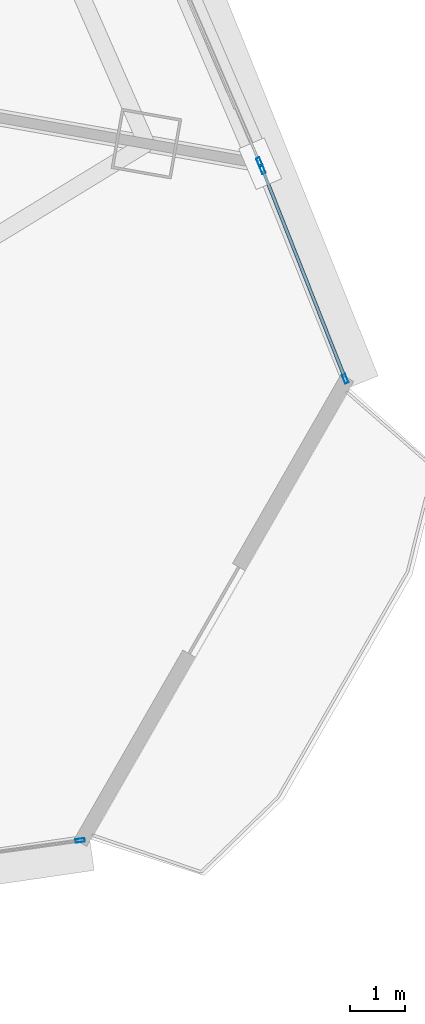
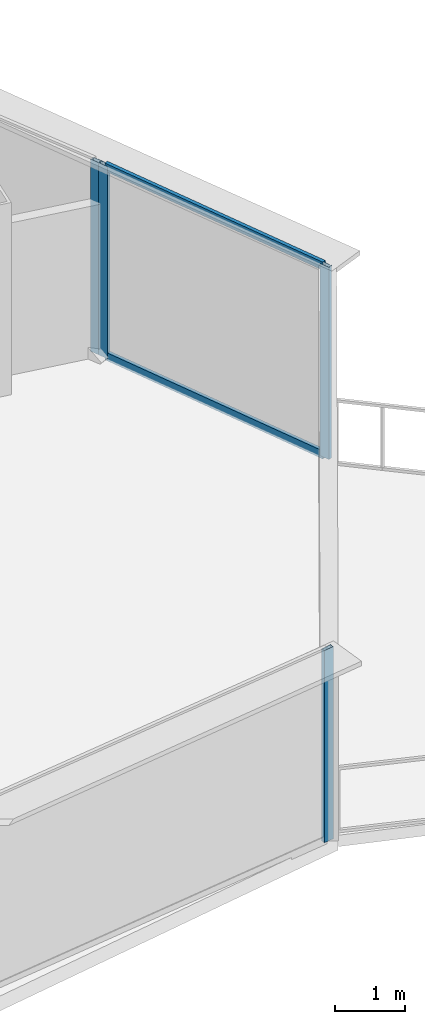
# One storey, part 21 of 38: 6 members, 3 elements without a shape of their own.
"""IFC4 building model written with IfcOpenShell, lengths in metres."""

from ifc_helpers import new_model, si_unit, direction, frame, origin, origin_2d, place, context, subcontext, project, spatial, hollow_rectangle, extrude, source, transform, mapped, material, layer, layer_set, material_profile, profile_set, type_object, element, aggregate, save


model = new_model("IFC4")

# Units and contexts
model_context = context("Model", 3, precision=1e-05, world=origin(), true_north=direction((0.0, 1.0)))
body_context = subcontext(model_context, "Body", "Model", "MODEL_VIEW")
ifc_project = project(units=[si_unit("LENGTHUNIT", "METRE"), si_unit("AREAUNIT", "SQUARE_METRE"), si_unit("VOLUMEUNIT", "CUBIC_METRE"), si_unit("PLANEANGLEUNIT", "RADIAN"), si_unit("MASSUNIT", "GRAM", prefix="KILO"), si_unit("THERMODYNAMICTEMPERATUREUNIT", "KELVIN"), si_unit("POWERUNIT", "WATT")], contexts=[model_context])

# Site, building, storey
site_placement = place(None, origin())
site = spatial("IfcSite", under=ifc_project, at=site_placement, CompositionType="ELEMENT")
building_placement = place(site_placement, origin())
building = spatial("IfcBuilding", under=site, at=building_placement, Name="Yunzhuo Pagoda Commons", CompositionType="ELEMENT")
storey_placement = place(building_placement, frame((0.0, 0.0, 34.030029296875)))
storey = spatial("IfcBuildingStorey", under=building, at=storey_placement, Name="L08", CompositionType="ELEMENT", Elevation=34.030029296875)

# Curtain wall, members
ifc_material = material(Name="Anodized aluminium 6063-T6", Category="aluminium")
ifc_layer = layer(ifc_material, 0.1650390625)
ifc_layer_set = layer_set([ifc_layer], Name="Anodized aluminium 6063-T6")
curtain_wall_type = type_object("IfcCurtainWallType", Name="CW-LOW Low-Zone Ribbon Curtain Wall", PredefinedType="NOTDEFINED", material=ifc_layer_set)
curtain_wall_1_placement = place(storey_placement, origin())
curtain_wall_1 = element("IfcCurtainWall", 1, at=curtain_wall_1_placement, inside=storey, type_object=curtain_wall_type, Name="L08 curtain wall CW-L08-F2B1", PredefinedType="NOTDEFINED")
ifc_material_profile_1 = material_profile(ifc_material, hollow_rectangle(XDim=0.06005859375, YDim=0.139892578125, WallThickness=0.00341796875, at=origin_2d()), Name="Anodized aluminium 6063-T6")
ifc_profile_set_1 = profile_set([ifc_material_profile_1], Name="Anodized aluminium 6063-T6")
member_type_1 = type_object("IfcMemberType", Name="CW-LOW-T Transom RHS 140x60x3.5", PredefinedType="USERDEFINED", material=ifc_profile_set_1)
shared_shape_1 = source(origin(), body_context, "Body", "SweptSolid", [
    extrude(hollow_rectangle(XDim=0.06005859375, YDim=0.139892578125, WallThickness=0.00341796875, at=origin_2d()), origin(), (0.0, 0.0, 1.0), 3.9970703125),
])
member_1_placement = place(storey_placement, frame((91.619384765625, 22.429931640625, 0.030029296875), z_axis=(-0.36764906147, 0.929964605563, 0.0), x_axis=(-0.929964605563, -0.36764906147, 0.0)))
member_1 = element("IfcMember", 2, at=member_1_placement, type_object=member_type_1, Name="CW transom 1.1", ObjectType="TRANSOM", PredefinedType="USERDEFINED", context=body_context, shape_type="MappedRepresentation", body=[
    mapped(shared_shape_1, transform((0.0, 0.0, 0.0), scale=1.0)),
])
member_2_placement = place(storey_placement, frame((91.619384765625, 22.429931640625, 3.340087890625), z_axis=(-0.36764906147, 0.929964605563, 0.0), x_axis=(-0.929964605563, -0.36764906147, 0.0)))
member_2 = element("IfcMember", 3, at=member_2_placement, type_object=member_type_1, Name="CW transom 1.2", ObjectType="TRANSOM", PredefinedType="USERDEFINED", context=body_context, shape_type="MappedRepresentation", body=[
    mapped(shared_shape_1, transform((0.0, 0.0, 0.0), scale=1.0)),
])

# Curtain wall, member
curtain_wall_2_placement = place(storey_placement, origin())
curtain_wall_2 = element("IfcCurtainWall", 4, at=curtain_wall_2_placement, inside=storey, type_object=curtain_wall_type, Name="L08 curtain wall CW-L08-F1B5", PredefinedType="NOTDEFINED")
ifc_material_profile_2 = material_profile(ifc_material, hollow_rectangle(XDim=0.06494140625, YDim=0.1650390625, WallThickness=0.00390625, at=origin_2d()), Name="Anodized aluminium 6063-T6")
ifc_profile_set_2 = profile_set([ifc_material_profile_2], Name="Anodized aluminium 6063-T6")
member_type_2 = type_object("IfcMemberType", Name="CW-LOW-M Mullion RHS 165x65x4", PredefinedType="MULLION", material=ifc_profile_set_2)
shared_shape_2 = source(origin(), body_context, "Body", "SweptSolid", [
    extrude(hollow_rectangle(XDim=0.06494140625, YDim=0.1650390625, WallThickness=0.00390625, at=origin_2d()), origin(), (0.0, 0.0, 1.0), 3.369873046875),
])
member_3_placement = place(storey_placement, frame((86.85302734375, 14.077880859375, 0.0), z_axis=(0.0, 0.0, 1.0), x_axis=(-0.138293641491, 0.99039127052, 0.0)))
member_3 = element("IfcMember", 5, at=member_3_placement, type_object=member_type_2, Name="CW mullion 2", PredefinedType="MULLION", context=body_context, shape_type="MappedRepresentation", body=[
    mapped(shared_shape_2, transform((0.0, 0.0, 0.0), scale=1.0)),
])
aggregate(curtain_wall_2, [member_3])

curtain_wall_3_placement = place(storey_placement, origin())
curtain_wall_3 = element("IfcCurtainWall", 6, at=curtain_wall_3_placement, inside=storey, type_object=curtain_wall_type, Name="L08 curtain wall CW-L08-F2B2", PredefinedType="NOTDEFINED")
member_4_placement = place(storey_placement, frame((90.08544921875, 26.306640625, 0.0), z_axis=(0.0, 0.0, 1.0), x_axis=(-0.918745212535, -0.394850901535, 0.0)))
member_4 = element("IfcMember", 7, at=member_4_placement, type_object=member_type_2, Name="CW mullion 1", PredefinedType="MULLION", context=body_context, shape_type="MappedRepresentation", body=[
    mapped(shared_shape_2, transform((0.0, 0.0, 0.0), scale=1.0)),
])
aggregate(curtain_wall_3, [member_4])

# Member
member_5_placement = place(storey_placement, frame((91.63134765625, 22.399658203125, 0.0), z_axis=(0.0, 0.0, 1.0), x_axis=(-0.929958215398, -0.367665224919, 0.0)))
member_5 = element("IfcMember", 8, at=member_5_placement, type_object=member_type_2, Name="CW mullion 1", PredefinedType="MULLION", context=body_context, shape_type="MappedRepresentation", body=[
    mapped(shared_shape_2, transform((0.0, 0.0, 0.0), scale=1.0)),
])

member_6_placement = place(storey_placement, frame((90.13818359375, 26.177001953125, 0.0), z_axis=(0.0, 0.0, 1.0), x_axis=(-0.929958215398, -0.367665224919, 0.0)))
member_6 = element("IfcMember", 9, at=member_6_placement, type_object=member_type_2, Name="CW mullion 2", PredefinedType="MULLION", context=body_context, shape_type="MappedRepresentation", body=[
    mapped(shared_shape_2, transform((0.0, 0.0, 0.0), scale=1.0)),
])

aggregate(curtain_wall_1, [member_5, member_6, member_1, member_2])

save(model, "model.ifc")
